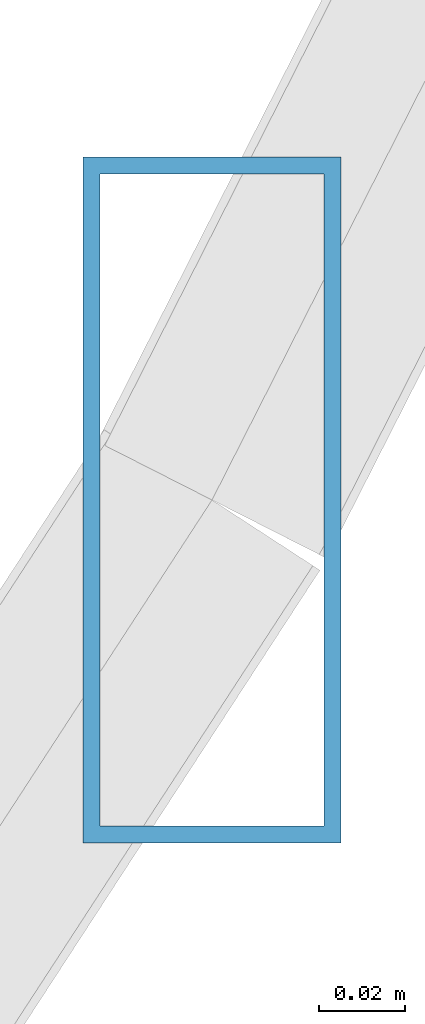
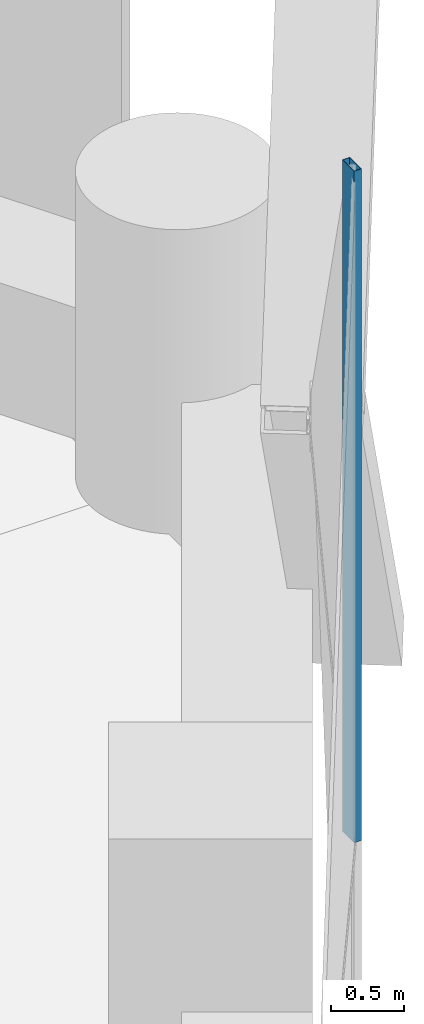
# One storey, part 5 of 16: 1 member, 1 element without a shape of its own.
"""IFC4 building model written with IfcOpenShell, lengths in metres."""

from ifc_helpers import new_model, si_unit, direction, frame, origin, origin_2d, place, context, subcontext, project, spatial, hollow_rectangle, extrude, material, material_profile, profile_set, type_object, element, aggregate, save


model = new_model("IFC4")

# Units and contexts
model_context = context("Model", 3, precision=1e-05, world=origin(), true_north=direction((0.0, 1.0)))
body_context = subcontext(model_context, "Body", "Model", "MODEL_VIEW")
ifc_project = project(units=[si_unit("LENGTHUNIT", "METRE"), si_unit("AREAUNIT", "SQUARE_METRE"), si_unit("VOLUMEUNIT", "CUBIC_METRE"), si_unit("PLANEANGLEUNIT", "RADIAN"), si_unit("MASSUNIT", "GRAM", prefix="KILO")], contexts=[model_context])

# Site, building, storey
site_placement = place(None, origin())
site = spatial("IfcSite", under=ifc_project, at=site_placement, CompositionType="ELEMENT")
building_placement = place(site_placement, origin())
building = spatial("IfcBuilding", under=site, at=building_placement, Name="Ostrander Bayou Hotel Tower", CompositionType="ELEMENT")
storey_placement = place(building_placement, frame((0.0, 0.0, 58.0)))
storey = spatial("IfcBuildingStorey", under=building, at=storey_placement, Name="L14", CompositionType="ELEMENT", Elevation=58.0)

# Curtain wall, member
ifc_material_1 = material(Name="Aluminium and clear glass", Category="aluminium")
curtain_wall_type = type_object("IfcCurtainWallType", Name="CW-LAT lattice glazing", PredefinedType="NOTDEFINED", material=ifc_material_1)
curtain_wall_placement = place(storey_placement, origin())
curtain_wall = element("IfcCurtainWall", 1, at=curtain_wall_placement, inside=storey, type_object=curtain_wall_type, Name="CW-LAT L14 SE 1", PredefinedType="NOTDEFINED")
ifc_material_2 = material(Name="Aluminium", Category="aluminium")
ifc_material_profile = material_profile(ifc_material_2, hollow_rectangle(XDim=0.06005859375, YDim=0.159912109375, WallThickness=0.00390625, at=origin_2d()))
ifc_profile_set = profile_set([ifc_material_profile], Name="Aluminium")
member_type = type_object("IfcMemberType", Name="CW-LA mullion 60 x 160 mm", PredefinedType="MULLION", material=ifc_profile_set)
member_placement = place(storey_placement, frame((19.11328125, -11.034912109375, 5.02490234375), z_axis=(0.0, 0.0, 1.0), x_axis=(1.0, 0.0, 0.0)))
member = element("IfcMember", 2, at=member_placement, type_object=member_type, Name="CW-LAT mullion 2", PredefinedType="MULLION", context=body_context, shape_type="SweptSolid", body=[
    extrude(hollow_rectangle(XDim=0.06005859375, YDim=0.159912109375, WallThickness=0.00390625, at=origin_2d()), origin(), (0.0, 0.0, 1.0), 5.625),
])
aggregate(curtain_wall, [member])

save(model, "model.ifc")
